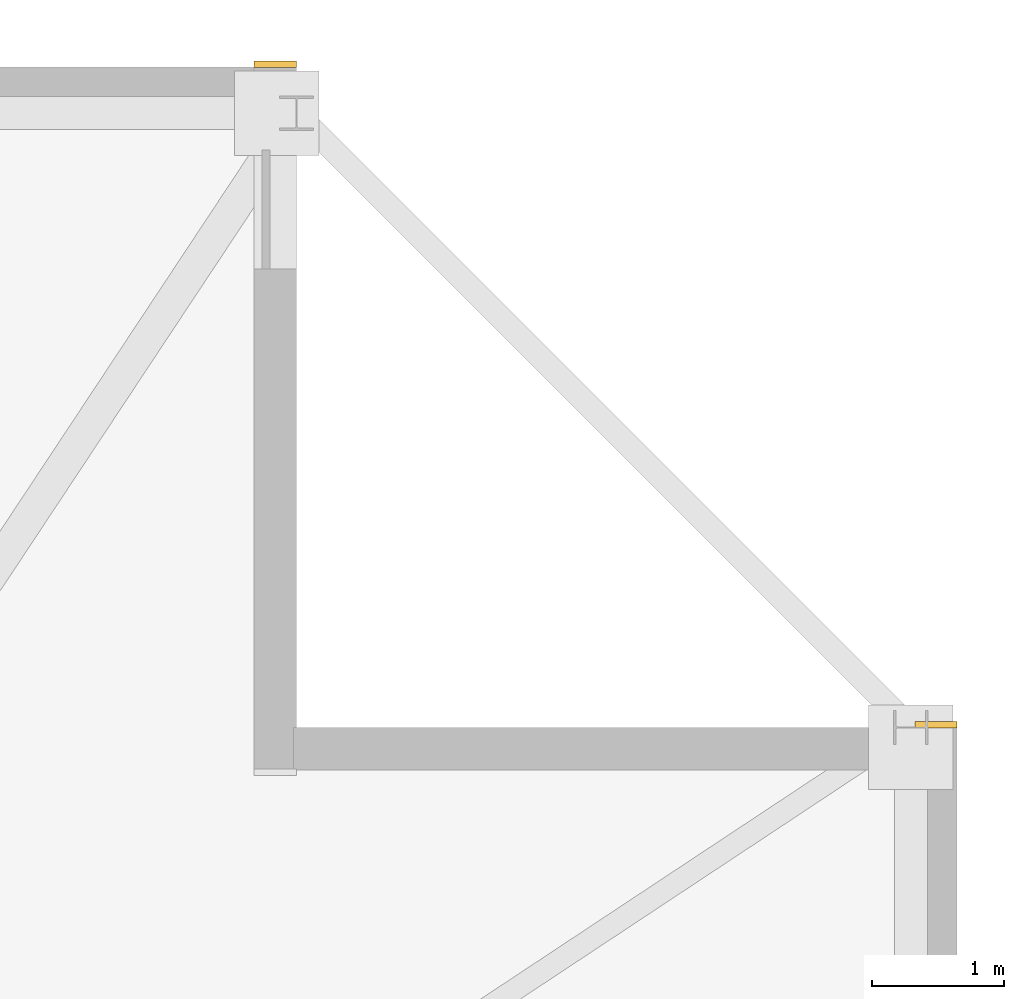
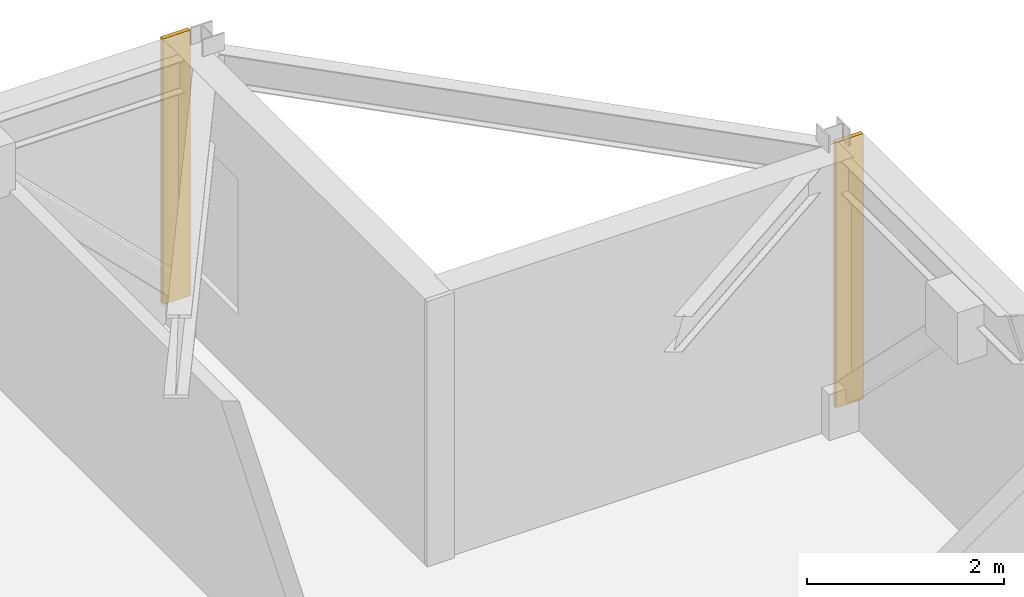
# One storey, part 17 of 17: 2 coverings.
"""IFC4 building model written with IfcOpenShell, lengths in metres."""

from ifc_helpers import new_model, si_unit, direction, frame, frame_2d, origin, place, context, subcontext, project, spatial, rectangle, extrude, material, layer, layer_set, type_object, element, save


model = new_model("IFC4")

# Units and contexts
model_context = context("Model", 3, precision=1e-05, world=origin(), true_north=direction((0.0, 1.0)))
body_context = subcontext(model_context, "Body", "Model", "MODEL_VIEW")
ifc_project = project(units=[si_unit("LENGTHUNIT", "METRE"), si_unit("AREAUNIT", "SQUARE_METRE"), si_unit("VOLUMEUNIT", "CUBIC_METRE"), si_unit("PLANEANGLEUNIT", "RADIAN"), si_unit("MASSUNIT", "GRAM", prefix="KILO")], contexts=[model_context])

# Site, building, storey
site_placement = place(None, origin())
site = spatial("IfcSite", under=ifc_project, at=site_placement, CompositionType="ELEMENT")
building_placement = place(site_placement, origin())
building = spatial("IfcBuilding", under=site, at=building_placement, Name="Cairnveth Concourse Tower", CompositionType="ELEMENT")
storey_placement = place(building_placement, frame((0.0, 0.0, 244.5)))
storey = spatial("IfcBuildingStorey", under=building, at=storey_placement, Name="L67", CompositionType="ELEMENT", Elevation=244.5)

# Coverings
ifc_material = material(Name="Dressed Melbourne Bluestone Cladding", Category="masonry")
ifc_layer = layer(ifc_material, 0.050048828125)
ifc_layer_set = layer_set([ifc_layer], Name="Dressed Melbourne Bluestone Cladding")
covering_type = type_object("IfcCoveringType", Name="DRESSED BLUESTONE PLINTH CLADDING 50", PredefinedType="CLADDING", material=ifc_layer_set)
for number, where, z_axis, x_axis, name in (
    (1, (69.179931640625, 61.52001953125, 0.0), (0.0, 0.0, 1.0), (1.0, 0.0, 0.0), "Melbourne Bluestone Corner Quoin L67-1011"),
    (2, (74.179931640625, 56.52001953125, 0.0), (0.0, 0.0, 1.0), (1.0, 0.0, 0.0), "Melbourne Bluestone Corner Quoin L67-1013"),
):
    element("IfcCovering", number, at=place(storey_placement, frame(where, z_axis=z_axis, x_axis=x_axis)), inside=storey, type_object=covering_type, Name=name, PredefinedType="CLADDING", context=body_context, shape_type="SweptSolid", body=[
        extrude(rectangle(XDim=0.320068359375, YDim=0.050048828125, at=frame_2d((0.16015625, 0.0))), origin(), (0.0, 0.0, 1.0), 3.2900390625),
    ])

save(model, "model.ifc")
